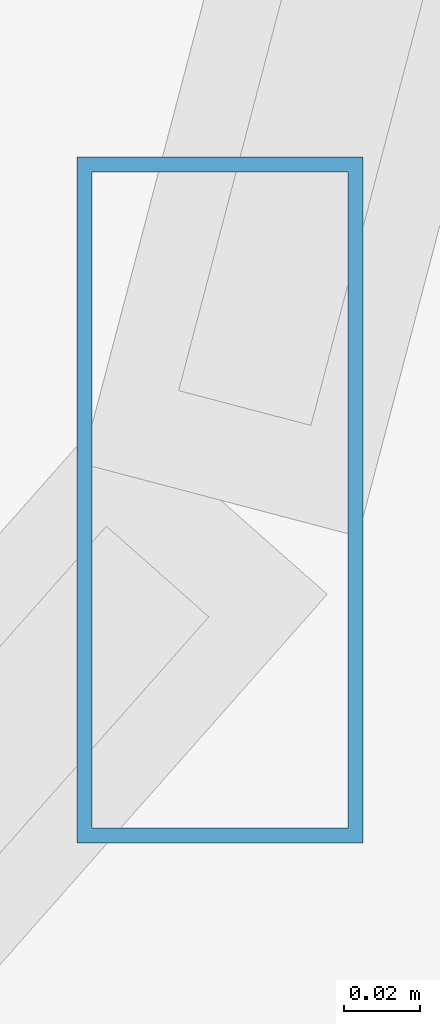
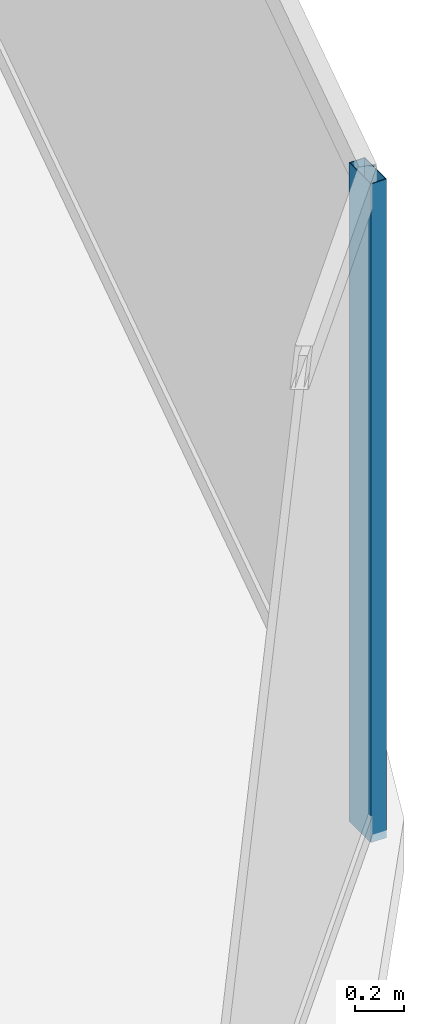
# One storey, part 14 of 31: 1 member, 1 element without a shape of its own.
"""IFC4 building model written with IfcOpenShell, lengths in metres."""

from ifc_helpers import new_model, si_unit, direction, frame, origin, origin_2d, place, context, subcontext, project, spatial, hollow_rectangle, extrude, material, material_profile, profile_set, type_object, element, aggregate, save


model = new_model("IFC4")

# Units and contexts
model_context = context("Model", 3, precision=1e-05, world=origin(), true_north=direction((0.0, 1.0)))
body_context = subcontext(model_context, "Body", "Model", "MODEL_VIEW")
ifc_project = project(units=[si_unit("LENGTHUNIT", "METRE"), si_unit("AREAUNIT", "SQUARE_METRE"), si_unit("VOLUMEUNIT", "CUBIC_METRE"), si_unit("PLANEANGLEUNIT", "RADIAN"), si_unit("MASSUNIT", "GRAM", prefix="KILO")], contexts=[model_context])

# Site, building, storey
site_placement = place(None, origin())
site = spatial("IfcSite", under=ifc_project, at=site_placement, CompositionType="ELEMENT")
building_placement = place(site_placement, origin())
building = spatial("IfcBuilding", under=site, at=building_placement, Name="Vorneva Point Tower", CompositionType="ELEMENT")
storey_placement = place(building_placement, frame((0.0, 0.0, 99.800048828125)))
storey = spatial("IfcBuildingStorey", under=building, at=storey_placement, Name="L26", CompositionType="ELEMENT", Elevation=99.800048828125)

# Curtain wall, member
ifc_material = material(Name="Pale anodised aluminium", Category="aluminium")
curtain_wall_type = type_object("IfcCurtainWallType", Name="CW-HTL-SYS", PredefinedType="NOTDEFINED", material=ifc_material)
curtain_wall_placement = place(storey_placement, origin())
curtain_wall = element("IfcCurtainWall", 1, at=curtain_wall_placement, inside=storey, type_object=curtain_wall_type, Name="L26 Unitised Curtain Wall CW-L26-R01", PredefinedType="NOTDEFINED")
ifc_material_profile = material_profile(ifc_material, hollow_rectangle(XDim=0.074951171875, YDim=0.179931640625, WallThickness=0.00390625, at=origin_2d()), Name="AL-MUL 180x75x4")
ifc_profile_set = profile_set([ifc_material_profile], Name="Pale anodised aluminium")
member_type = type_object("IfcMemberType", Name="CW-MUL-180", PredefinedType="MULLION", material=ifc_profile_set)
member_placement = place(storey_placement, frame((62.251708984375, 18.40380859375, -0.0400390625), z_axis=(0.0, 0.0, 1.0), x_axis=(1.0, 0.0, 0.0)))
member = element("IfcMember", 2, at=member_placement, type_object=member_type, Name="CW-L26-R01 Mullion 02", PredefinedType="MULLION", context=body_context, shape_type="SweptSolid", body=[
    extrude(hollow_rectangle(XDim=0.074951171875, YDim=0.179931640625, WallThickness=0.00390625, at=origin_2d()), origin(), (0.0, 0.0, 1.0), 3.31005859375),
])
aggregate(curtain_wall, [member])

save(model, "model.ifc")
